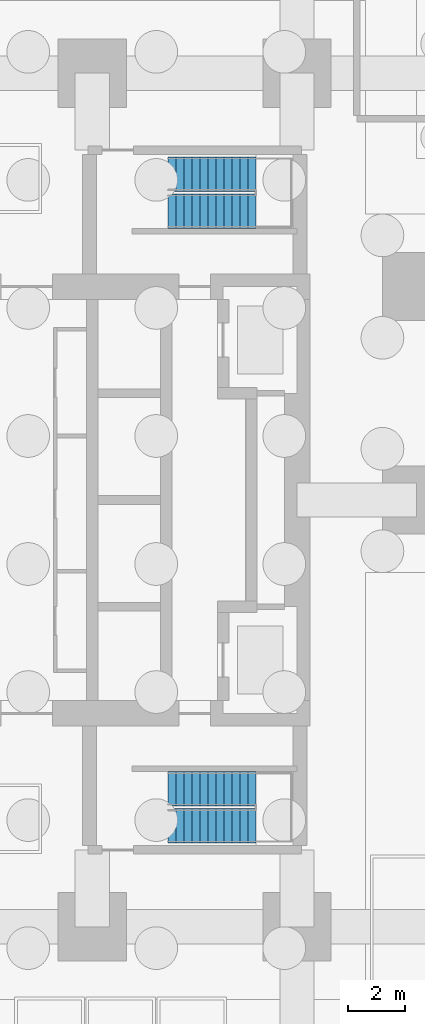
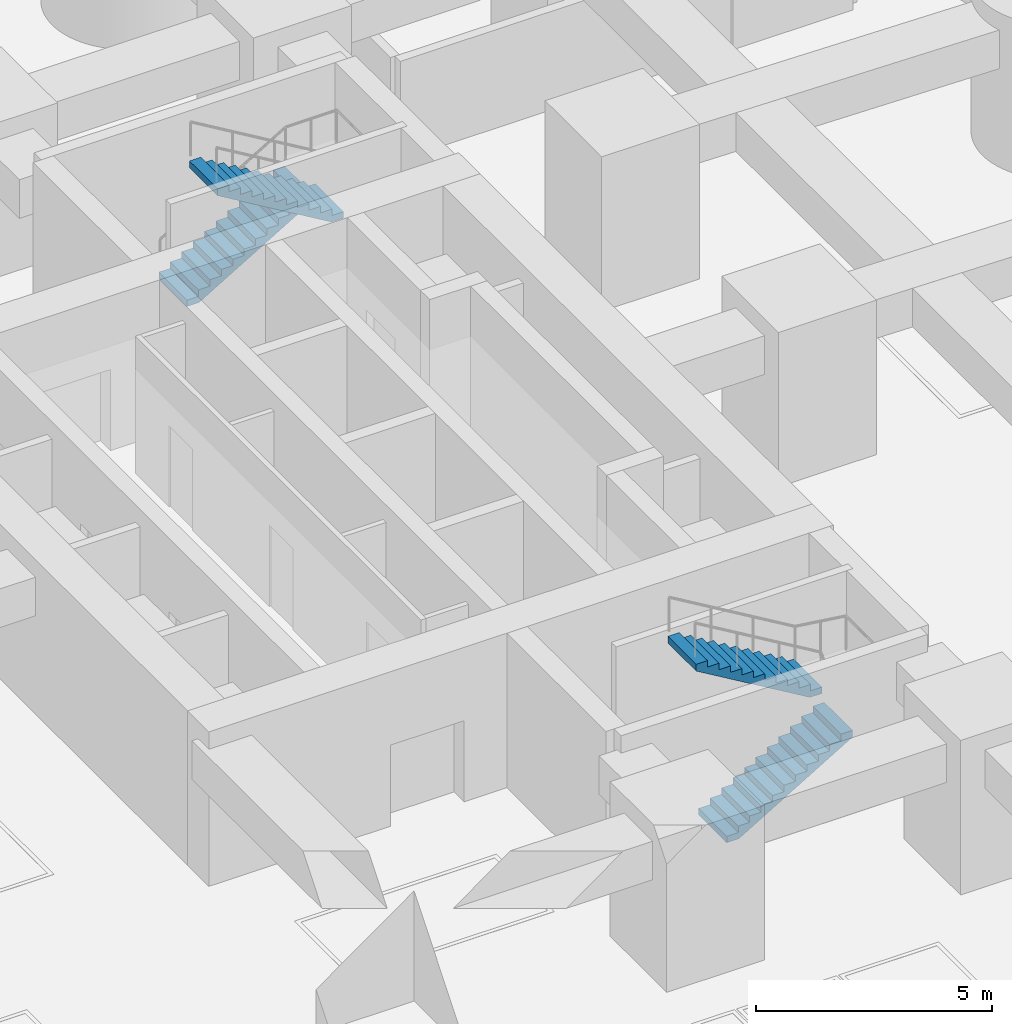
# One storey, part 7 of 10: 4 stair flights, 2 elements without a shape of their own.
"""IFC4 building model written with IfcOpenShell, lengths in metres."""

from ifc_helpers import new_model, si_unit, direction, frame, origin, place, context, subcontext, project, spatial, triangles, material, type_object, element, aggregate, save


model = new_model("IFC4")

# Units and contexts
model_context = context("Model", 3, precision=1e-05, world=origin(), true_north=direction((0.0, 1.0)))
body_context = subcontext(model_context, "Body", "Model", "MODEL_VIEW")
ifc_project = project(units=[si_unit("LENGTHUNIT", "METRE"), si_unit("AREAUNIT", "SQUARE_METRE"), si_unit("VOLUMEUNIT", "CUBIC_METRE"), si_unit("PLANEANGLEUNIT", "RADIAN"), si_unit("MASSUNIT", "GRAM", prefix="KILO")], contexts=[model_context])

# Site, building, storey
site_placement = place(None, origin())
site = spatial("IfcSite", under=ifc_project, at=site_placement, CompositionType="ELEMENT")
building_placement = place(site_placement, origin())
building = spatial("IfcBuilding", under=site, at=building_placement, Name="Sheger Commons Tower", CompositionType="ELEMENT")
storey_placement = place(building_placement, frame((0.0, 0.0, -8.0)))
storey = spatial("IfcBuildingStorey", under=building, at=storey_placement, Name="B2", CompositionType="ELEMENT", Elevation=-8.0)

# Stair, stair flights
ifc_material_1 = material(Name="Concrete C35/45", Category="concrete")
stair_type = type_object("IfcStairType", Name="HALF-TURN STAIR 1200 RISE 4000", PredefinedType="HALF_TURN_STAIR", material=ifc_material_1)
stair_1_placement = place(storey_placement, origin())
stair_1 = element("IfcStair", 1, at=stair_1_placement, inside=storey, type_object=stair_type, Name="Stair S1 B2", PredefinedType="HALF_TURN_STAIR")
ifc_material_2 = material(Name="Concrete C35/45", Category="concrete")
stair_flight_type = type_object("IfcStairFlightType", Name="STAIR FLIGHT 1200 12 RISERS OF 167", PredefinedType="STRAIGHT", material=ifc_material_2)
stair_flight_1_placement = place(storey_placement, frame((24.27001953125, 11.050048828125, 0.0), z_axis=(0.0, 0.0, 1.0), x_axis=(1.0, 0.0, 0.0)))
stair_flight_1 = element("IfcStairFlight", 2, at=stair_flight_1_placement, type_object=stair_flight_type, Name="S1 flight 1", NumberOfRisers=12, NumberOfTreads=11, PredefinedType="STRAIGHT", RiserHeight=0.166666667, TreadLength=0.28, context=body_context, shape_type="Tessellation", body=[
    triangles([(0.0, 0.5999755859375, 0.0), (0.0, 0.5999755859375, 0.166748046875), (0.280029296875, 0.5999755859375, 0.166748046875), (0.280029296875, 0.5999755859375, 0.333251953125), (0.56005859375, 0.5999755859375, 0.333251953125), (0.56005859375, 0.5999755859375, 0.5), (0.840087890625, 0.5999755859375, 0.5), (0.840087890625, 0.5999755859375, 0.666748046875), (1.1201171875, 0.5999755859375, 0.666748046875), (1.1201171875, 0.5999755859375, 0.833251953125), (1.39990234375, 0.5999755859375, 0.833251953125), (1.39990234375, 0.5999755859375, 1.0), (1.679931640625, 0.5999755859375, 1.0), (1.679931640625, 0.5999755859375, 1.166748046875), (1.9599609375, 0.5999755859375, 1.166748046875), (1.9599609375, 0.5999755859375, 1.333251953125), (2.239990234375, 0.5999755859375, 1.333251953125), (2.239990234375, 0.5999755859375, 1.5), (2.52001953125, 0.5999755859375, 1.5), (2.52001953125, 0.5999755859375, 1.666748046875), (2.800048828125, 0.5999755859375, 1.666748046875), (2.800048828125, 0.5999755859375, 1.833251953125), (3.080078125, 0.5999755859375, 1.833251953125), (3.080078125, 0.5999755859375, 1.658935546875), (0.29296875, 0.5999755859375, 0.0), (0.0, -0.5999755859375, 0.0), (0.0, -0.5999755859375, 0.166748046875), (0.280029296875, -0.5999755859375, 0.166748046875), (0.280029296875, -0.5999755859375, 0.333251953125), (0.56005859375, -0.5999755859375, 0.333251953125), (0.56005859375, -0.5999755859375, 0.5), (0.840087890625, -0.5999755859375, 0.5), (0.840087890625, -0.5999755859375, 0.666748046875), (1.1201171875, -0.5999755859375, 0.666748046875), (1.1201171875, -0.5999755859375, 0.833251953125), (1.39990234375, -0.5999755859375, 0.833251953125), (1.39990234375, -0.5999755859375, 1.0), (1.679931640625, -0.5999755859375, 1.0), (1.679931640625, -0.5999755859375, 1.166748046875), (1.9599609375, -0.5999755859375, 1.166748046875), (1.9599609375, -0.5999755859375, 1.333251953125), (2.239990234375, -0.5999755859375, 1.333251953125), (2.239990234375, -0.5999755859375, 1.5), (2.52001953125, -0.5999755859375, 1.5), (2.52001953125, -0.5999755859375, 1.666748046875), (2.800048828125, -0.5999755859375, 1.666748046875), (2.800048828125, -0.5999755859375, 1.833251953125), (3.080078125, -0.5999755859375, 1.833251953125), (3.080078125, -0.5999755859375, 1.658935546875), (0.29296875, -0.5999755859375, 0.0), (0.0, 0.0, 0.0833740234375), (0.1400146484375, 0.0, 0.166748046875), (0.280029296875, 0.0, 0.25), (0.4200439453125, 0.0, 0.333251953125), (0.56005859375, 0.0, 0.4166259765625), (0.7000732421875, 0.0, 0.5), (0.840087890625, 0.0, 0.5833740234375), (0.9801025390625, 0.0, 0.666748046875), (1.1201171875, 0.0, 0.75), (1.260009765625, 0.0, 0.833251953125), (1.39990234375, 0.0, 0.9166259765625), (1.5399169921875, 0.0, 1.0), (1.679931640625, 0.0, 1.0833740234375), (1.8199462890625, 0.0, 1.166748046875), (1.9599609375, 0.0, 1.25), (2.0999755859375, 0.0, 1.333251953125), (2.239990234375, 0.0, 1.4166259765625), (2.3800048828125, 0.0, 1.5), (2.52001953125, 0.0, 1.5833740234375), (2.6600341796875, 0.0, 1.666748046875), (2.800048828125, 0.0, 1.75), (2.9400634765625, 0.0, 1.833251953125), (3.080078125, 0.0, 1.74609375), (1.6865234375, 0.0, 0.8294677734375), (0.146484375, 0.0, 0.0)], [[1, 24, 25], [26, 50, 49], [24, 22, 23], [49, 48, 47], [24, 21, 22], [49, 47, 46], [24, 20, 21], [49, 46, 45], [24, 19, 20], [49, 45, 44], [19, 17, 18], [44, 43, 42], [24, 17, 19], [49, 44, 42], [17, 15, 16], [42, 41, 40], [24, 15, 17], [49, 42, 40], [15, 13, 14], [40, 39, 38], [24, 13, 15], [49, 40, 38], [13, 11, 12], [38, 37, 36], [24, 11, 13], [49, 38, 36], [11, 9, 10], [36, 35, 34], [24, 9, 11], [49, 36, 34], [9, 7, 8], [34, 33, 32], [24, 7, 9], [49, 34, 32], [7, 5, 6], [32, 31, 30], [24, 5, 7], [49, 32, 30], [1, 5, 24], [26, 49, 30], [5, 3, 4], [30, 29, 28], [1, 3, 5], [26, 30, 28], [3, 1, 2], [28, 27, 26], [1, 51, 2], [2, 51, 27], [27, 51, 26], [26, 51, 1], [2, 52, 3], [3, 52, 28], [28, 52, 27], [27, 52, 2], [3, 53, 4], [4, 53, 29], [29, 53, 28], [28, 53, 3], [4, 54, 5], [5, 54, 30], [30, 54, 29], [29, 54, 4], [5, 55, 6], [6, 55, 31], [31, 55, 30], [30, 55, 5], [6, 56, 7], [7, 56, 32], [32, 56, 31], [31, 56, 6], [7, 57, 8], [8, 57, 33], [33, 57, 32], [32, 57, 7], [8, 58, 9], [9, 58, 34], [34, 58, 33], [33, 58, 8], [9, 59, 10], [10, 59, 35], [35, 59, 34], [34, 59, 9], [10, 60, 11], [11, 60, 36], [36, 60, 35], [35, 60, 10], [11, 61, 12], [12, 61, 37], [37, 61, 36], [36, 61, 11], [12, 62, 13], [13, 62, 38], [38, 62, 37], [37, 62, 12], [13, 63, 14], [14, 63, 39], [39, 63, 38], [38, 63, 13], [14, 64, 15], [15, 64, 40], [40, 64, 39], [39, 64, 14], [15, 65, 16], [16, 65, 41], [41, 65, 40], [40, 65, 15], [16, 66, 17], [17, 66, 42], [42, 66, 41], [41, 66, 16], [17, 67, 18], [18, 67, 43], [43, 67, 42], [42, 67, 17], [18, 68, 19], [19, 68, 44], [44, 68, 43], [43, 68, 18], [19, 69, 20], [20, 69, 45], [45, 69, 44], [44, 69, 19], [20, 70, 21], [21, 70, 46], [46, 70, 45], [45, 70, 20], [21, 71, 22], [22, 71, 47], [47, 71, 46], [46, 71, 21], [22, 72, 23], [23, 72, 48], [48, 72, 47], [47, 72, 22], [23, 73, 24], [24, 73, 49], [49, 73, 48], [48, 73, 23], [24, 74, 25], [25, 74, 50], [50, 74, 49], [49, 74, 24], [25, 75, 1], [1, 75, 26], [26, 75, 50], [50, 75, 25]], closed=True),
])
stair_flight_2_placement = place(storey_placement, frame((27.35009765625, 12.35009765625, 2.0), z_axis=(0.0, 0.0, 1.0), x_axis=(-1.0, 0.0, 0.0)))
stair_flight_2 = element("IfcStairFlight", 3, at=stair_flight_2_placement, type_object=stair_flight_type, Name="S1 flight 2", NumberOfRisers=12, NumberOfTreads=11, PredefinedType="STRAIGHT", RiserHeight=0.166666667, TreadLength=0.28, context=body_context, shape_type="Tessellation", body=[
    triangles([(0.0, 0.5999755859375, 0.0), (0.0, 0.5999755859375, 0.166748046875), (0.280029296875, 0.5999755859375, 0.166748046875), (0.280029296875, 0.5999755859375, 0.333251953125), (0.56005859375, 0.5999755859375, 0.333251953125), (0.56005859375, 0.5999755859375, 0.5), (0.840087890625, 0.5999755859375, 0.5), (0.840087890625, 0.5999755859375, 0.666748046875), (1.1201171875, 0.5999755859375, 0.666748046875), (1.1201171875, 0.5999755859375, 0.833251953125), (1.39990234375, 0.5999755859375, 0.833251953125), (1.39990234375, 0.5999755859375, 1.0), (1.679931640625, 0.5999755859375, 1.0), (1.679931640625, 0.5999755859375, 1.166748046875), (1.9599609375, 0.5999755859375, 1.166748046875), (1.9599609375, 0.5999755859375, 1.333251953125), (2.239990234375, 0.5999755859375, 1.333251953125), (2.239990234375, 0.5999755859375, 1.5), (2.52001953125, 0.5999755859375, 1.5), (2.52001953125, 0.5999755859375, 1.666748046875), (2.800048828125, 0.5999755859375, 1.666748046875), (2.800048828125, 0.5999755859375, 1.833251953125), (3.080078125, 0.5999755859375, 1.833251953125), (3.080078125, 0.5999755859375, 1.658935546875), (0.29296875, 0.5999755859375, 0.0), (0.0, -0.5999755859375, 0.0), (0.0, -0.5999755859375, 0.166748046875), (0.280029296875, -0.5999755859375, 0.166748046875), (0.280029296875, -0.5999755859375, 0.333251953125), (0.56005859375, -0.5999755859375, 0.333251953125), (0.56005859375, -0.5999755859375, 0.5), (0.840087890625, -0.5999755859375, 0.5), (0.840087890625, -0.5999755859375, 0.666748046875), (1.1201171875, -0.5999755859375, 0.666748046875), (1.1201171875, -0.5999755859375, 0.833251953125), (1.39990234375, -0.5999755859375, 0.833251953125), (1.39990234375, -0.5999755859375, 1.0), (1.679931640625, -0.5999755859375, 1.0), (1.679931640625, -0.5999755859375, 1.166748046875), (1.9599609375, -0.5999755859375, 1.166748046875), (1.9599609375, -0.5999755859375, 1.333251953125), (2.239990234375, -0.5999755859375, 1.333251953125), (2.239990234375, -0.5999755859375, 1.5), (2.52001953125, -0.5999755859375, 1.5), (2.52001953125, -0.5999755859375, 1.666748046875), (2.800048828125, -0.5999755859375, 1.666748046875), (2.800048828125, -0.5999755859375, 1.833251953125), (3.080078125, -0.5999755859375, 1.833251953125), (3.080078125, -0.5999755859375, 1.658935546875), (0.29296875, -0.5999755859375, 0.0), (0.0, 0.0, 0.0833740234375), (0.1400146484375, 0.0, 0.166748046875), (0.280029296875, 0.0, 0.25), (0.4200439453125, 0.0, 0.333251953125), (0.56005859375, 0.0, 0.4166259765625), (0.7000732421875, 0.0, 0.5), (0.840087890625, 0.0, 0.5833740234375), (0.9801025390625, 0.0, 0.666748046875), (1.1201171875, 0.0, 0.75), (1.260009765625, 0.0, 0.833251953125), (1.39990234375, 0.0, 0.9166259765625), (1.5399169921875, 0.0, 1.0), (1.679931640625, 0.0, 1.0833740234375), (1.8199462890625, 0.0, 1.166748046875), (1.9599609375, 0.0, 1.25), (2.0999755859375, 0.0, 1.333251953125), (2.239990234375, 0.0, 1.4166259765625), (2.3800048828125, 0.0, 1.5), (2.52001953125, 0.0, 1.5833740234375), (2.6600341796875, 0.0, 1.666748046875), (2.800048828125, 0.0, 1.75), (2.9400634765625, 0.0, 1.833251953125), (3.080078125, 0.0, 1.74609375), (1.6865234375, 0.0, 0.8294677734375), (0.146484375, 0.0, 0.0)], [[1, 24, 25], [26, 50, 49], [24, 22, 23], [49, 48, 47], [24, 21, 22], [49, 47, 46], [24, 20, 21], [49, 46, 45], [24, 19, 20], [49, 45, 44], [19, 17, 18], [44, 43, 42], [24, 17, 19], [49, 44, 42], [17, 15, 16], [42, 41, 40], [24, 15, 17], [49, 42, 40], [15, 13, 14], [40, 39, 38], [24, 13, 15], [49, 40, 38], [13, 11, 12], [38, 37, 36], [24, 11, 13], [49, 38, 36], [11, 9, 10], [36, 35, 34], [24, 9, 11], [49, 36, 34], [9, 7, 8], [34, 33, 32], [24, 7, 9], [49, 34, 32], [7, 5, 6], [32, 31, 30], [24, 5, 7], [49, 32, 30], [1, 5, 24], [26, 49, 30], [5, 3, 4], [30, 29, 28], [1, 3, 5], [26, 30, 28], [3, 1, 2], [28, 27, 26], [1, 51, 2], [2, 51, 27], [27, 51, 26], [26, 51, 1], [2, 52, 3], [3, 52, 28], [28, 52, 27], [27, 52, 2], [3, 53, 4], [4, 53, 29], [29, 53, 28], [28, 53, 3], [4, 54, 5], [5, 54, 30], [30, 54, 29], [29, 54, 4], [5, 55, 6], [6, 55, 31], [31, 55, 30], [30, 55, 5], [6, 56, 7], [7, 56, 32], [32, 56, 31], [31, 56, 6], [7, 57, 8], [8, 57, 33], [33, 57, 32], [32, 57, 7], [8, 58, 9], [9, 58, 34], [34, 58, 33], [33, 58, 8], [9, 59, 10], [10, 59, 35], [35, 59, 34], [34, 59, 9], [10, 60, 11], [11, 60, 36], [36, 60, 35], [35, 60, 10], [11, 61, 12], [12, 61, 37], [37, 61, 36], [36, 61, 11], [12, 62, 13], [13, 62, 38], [38, 62, 37], [37, 62, 12], [13, 63, 14], [14, 63, 39], [39, 63, 38], [38, 63, 13], [14, 64, 15], [15, 64, 40], [40, 64, 39], [39, 64, 14], [15, 65, 16], [16, 65, 41], [41, 65, 40], [40, 65, 15], [16, 66, 17], [17, 66, 42], [42, 66, 41], [41, 66, 16], [17, 67, 18], [18, 67, 43], [43, 67, 42], [42, 67, 17], [18, 68, 19], [19, 68, 44], [44, 68, 43], [43, 68, 18], [19, 69, 20], [20, 69, 45], [45, 69, 44], [44, 69, 19], [20, 70, 21], [21, 70, 46], [46, 70, 45], [45, 70, 20], [21, 71, 22], [22, 71, 47], [47, 71, 46], [46, 71, 21], [22, 72, 23], [23, 72, 48], [48, 72, 47], [47, 72, 22], [23, 73, 24], [24, 73, 49], [49, 73, 48], [48, 73, 23], [24, 74, 25], [25, 74, 50], [50, 74, 49], [49, 74, 24], [25, 75, 1], [1, 75, 26], [26, 75, 50], [50, 75, 25]], closed=True),
])
aggregate(stair_1, [stair_flight_1, stair_flight_2])

stair_2_placement = place(storey_placement, origin())
stair_2 = element("IfcStair", 4, at=stair_2_placement, inside=storey, type_object=stair_type, Name="Stair S2 B2", PredefinedType="HALF_TURN_STAIR")
stair_flight_3_placement = place(storey_placement, frame((24.27001953125, 33.949951171875, 0.0), z_axis=(0.0, 0.0, 1.0), x_axis=(1.0, 0.0, 0.0)))
stair_flight_3 = element("IfcStairFlight", 5, at=stair_flight_3_placement, type_object=stair_flight_type, Name="S2 flight 1", NumberOfRisers=12, NumberOfTreads=11, PredefinedType="STRAIGHT", RiserHeight=0.166666667, TreadLength=0.28, context=body_context, shape_type="Tessellation", body=[
    triangles([(0.0, 0.5999755859375, 0.0), (0.0, 0.5999755859375, 0.166748046875), (0.280029296875, 0.5999755859375, 0.166748046875), (0.280029296875, 0.5999755859375, 0.333251953125), (0.56005859375, 0.5999755859375, 0.333251953125), (0.56005859375, 0.5999755859375, 0.5), (0.840087890625, 0.5999755859375, 0.5), (0.840087890625, 0.5999755859375, 0.666748046875), (1.1201171875, 0.5999755859375, 0.666748046875), (1.1201171875, 0.5999755859375, 0.833251953125), (1.39990234375, 0.5999755859375, 0.833251953125), (1.39990234375, 0.5999755859375, 1.0), (1.679931640625, 0.5999755859375, 1.0), (1.679931640625, 0.5999755859375, 1.166748046875), (1.9599609375, 0.5999755859375, 1.166748046875), (1.9599609375, 0.5999755859375, 1.333251953125), (2.239990234375, 0.5999755859375, 1.333251953125), (2.239990234375, 0.5999755859375, 1.5), (2.52001953125, 0.5999755859375, 1.5), (2.52001953125, 0.5999755859375, 1.666748046875), (2.800048828125, 0.5999755859375, 1.666748046875), (2.800048828125, 0.5999755859375, 1.833251953125), (3.080078125, 0.5999755859375, 1.833251953125), (3.080078125, 0.5999755859375, 1.658935546875), (0.29296875, 0.5999755859375, 0.0), (0.0, -0.5999755859375, 0.0), (0.0, -0.5999755859375, 0.166748046875), (0.280029296875, -0.5999755859375, 0.166748046875), (0.280029296875, -0.5999755859375, 0.333251953125), (0.56005859375, -0.5999755859375, 0.333251953125), (0.56005859375, -0.5999755859375, 0.5), (0.840087890625, -0.5999755859375, 0.5), (0.840087890625, -0.5999755859375, 0.666748046875), (1.1201171875, -0.5999755859375, 0.666748046875), (1.1201171875, -0.5999755859375, 0.833251953125), (1.39990234375, -0.5999755859375, 0.833251953125), (1.39990234375, -0.5999755859375, 1.0), (1.679931640625, -0.5999755859375, 1.0), (1.679931640625, -0.5999755859375, 1.166748046875), (1.9599609375, -0.5999755859375, 1.166748046875), (1.9599609375, -0.5999755859375, 1.333251953125), (2.239990234375, -0.5999755859375, 1.333251953125), (2.239990234375, -0.5999755859375, 1.5), (2.52001953125, -0.5999755859375, 1.5), (2.52001953125, -0.5999755859375, 1.666748046875), (2.800048828125, -0.5999755859375, 1.666748046875), (2.800048828125, -0.5999755859375, 1.833251953125), (3.080078125, -0.5999755859375, 1.833251953125), (3.080078125, -0.5999755859375, 1.658935546875), (0.29296875, -0.5999755859375, 0.0), (0.0, 0.0, 0.0833740234375), (0.1400146484375, 0.0, 0.166748046875), (0.280029296875, 0.0, 0.25), (0.4200439453125, 0.0, 0.333251953125), (0.56005859375, 0.0, 0.4166259765625), (0.7000732421875, 0.0, 0.5), (0.840087890625, 0.0, 0.5833740234375), (0.9801025390625, 0.0, 0.666748046875), (1.1201171875, 0.0, 0.75), (1.260009765625, 0.0, 0.833251953125), (1.39990234375, 0.0, 0.9166259765625), (1.5399169921875, 0.0, 1.0), (1.679931640625, 0.0, 1.0833740234375), (1.8199462890625, 0.0, 1.166748046875), (1.9599609375, 0.0, 1.25), (2.0999755859375, 0.0, 1.333251953125), (2.239990234375, 0.0, 1.4166259765625), (2.3800048828125, 0.0, 1.5), (2.52001953125, 0.0, 1.5833740234375), (2.6600341796875, 0.0, 1.666748046875), (2.800048828125, 0.0, 1.75), (2.9400634765625, 0.0, 1.833251953125), (3.080078125, 0.0, 1.74609375), (1.6865234375, 0.0, 0.8294677734375), (0.146484375, 0.0, 0.0)], [[1, 24, 25], [26, 50, 49], [24, 22, 23], [49, 48, 47], [24, 21, 22], [49, 47, 46], [24, 20, 21], [49, 46, 45], [24, 19, 20], [49, 45, 44], [19, 17, 18], [44, 43, 42], [24, 17, 19], [49, 44, 42], [17, 15, 16], [42, 41, 40], [24, 15, 17], [49, 42, 40], [15, 13, 14], [40, 39, 38], [24, 13, 15], [49, 40, 38], [13, 11, 12], [38, 37, 36], [24, 11, 13], [49, 38, 36], [11, 9, 10], [36, 35, 34], [24, 9, 11], [49, 36, 34], [9, 7, 8], [34, 33, 32], [24, 7, 9], [49, 34, 32], [7, 5, 6], [32, 31, 30], [24, 5, 7], [49, 32, 30], [1, 5, 24], [26, 49, 30], [5, 3, 4], [30, 29, 28], [1, 3, 5], [26, 30, 28], [3, 1, 2], [28, 27, 26], [1, 51, 2], [2, 51, 27], [27, 51, 26], [26, 51, 1], [2, 52, 3], [3, 52, 28], [28, 52, 27], [27, 52, 2], [3, 53, 4], [4, 53, 29], [29, 53, 28], [28, 53, 3], [4, 54, 5], [5, 54, 30], [30, 54, 29], [29, 54, 4], [5, 55, 6], [6, 55, 31], [31, 55, 30], [30, 55, 5], [6, 56, 7], [7, 56, 32], [32, 56, 31], [31, 56, 6], [7, 57, 8], [8, 57, 33], [33, 57, 32], [32, 57, 7], [8, 58, 9], [9, 58, 34], [34, 58, 33], [33, 58, 8], [9, 59, 10], [10, 59, 35], [35, 59, 34], [34, 59, 9], [10, 60, 11], [11, 60, 36], [36, 60, 35], [35, 60, 10], [11, 61, 12], [12, 61, 37], [37, 61, 36], [36, 61, 11], [12, 62, 13], [13, 62, 38], [38, 62, 37], [37, 62, 12], [13, 63, 14], [14, 63, 39], [39, 63, 38], [38, 63, 13], [14, 64, 15], [15, 64, 40], [40, 64, 39], [39, 64, 14], [15, 65, 16], [16, 65, 41], [41, 65, 40], [40, 65, 15], [16, 66, 17], [17, 66, 42], [42, 66, 41], [41, 66, 16], [17, 67, 18], [18, 67, 43], [43, 67, 42], [42, 67, 17], [18, 68, 19], [19, 68, 44], [44, 68, 43], [43, 68, 18], [19, 69, 20], [20, 69, 45], [45, 69, 44], [44, 69, 19], [20, 70, 21], [21, 70, 46], [46, 70, 45], [45, 70, 20], [21, 71, 22], [22, 71, 47], [47, 71, 46], [46, 71, 21], [22, 72, 23], [23, 72, 48], [48, 72, 47], [47, 72, 22], [23, 73, 24], [24, 73, 49], [49, 73, 48], [48, 73, 23], [24, 74, 25], [25, 74, 50], [50, 74, 49], [49, 74, 24], [25, 75, 1], [1, 75, 26], [26, 75, 50], [50, 75, 25]], closed=True),
])
stair_flight_4_placement = place(storey_placement, frame((27.35009765625, 32.64990234375, 2.0), z_axis=(0.0, 0.0, 1.0), x_axis=(-1.0, 0.0, 0.0)))
stair_flight_4 = element("IfcStairFlight", 6, at=stair_flight_4_placement, type_object=stair_flight_type, Name="S2 flight 2", NumberOfRisers=12, NumberOfTreads=11, PredefinedType="STRAIGHT", RiserHeight=0.166666667, TreadLength=0.28, context=body_context, shape_type="Tessellation", body=[
    triangles([(0.0, 0.5999755859375, 0.0), (0.0, 0.5999755859375, 0.166748046875), (0.280029296875, 0.5999755859375, 0.166748046875), (0.280029296875, 0.5999755859375, 0.333251953125), (0.56005859375, 0.5999755859375, 0.333251953125), (0.56005859375, 0.5999755859375, 0.5), (0.840087890625, 0.5999755859375, 0.5), (0.840087890625, 0.5999755859375, 0.666748046875), (1.1201171875, 0.5999755859375, 0.666748046875), (1.1201171875, 0.5999755859375, 0.833251953125), (1.39990234375, 0.5999755859375, 0.833251953125), (1.39990234375, 0.5999755859375, 1.0), (1.679931640625, 0.5999755859375, 1.0), (1.679931640625, 0.5999755859375, 1.166748046875), (1.9599609375, 0.5999755859375, 1.166748046875), (1.9599609375, 0.5999755859375, 1.333251953125), (2.239990234375, 0.5999755859375, 1.333251953125), (2.239990234375, 0.5999755859375, 1.5), (2.52001953125, 0.5999755859375, 1.5), (2.52001953125, 0.5999755859375, 1.666748046875), (2.800048828125, 0.5999755859375, 1.666748046875), (2.800048828125, 0.5999755859375, 1.833251953125), (3.080078125, 0.5999755859375, 1.833251953125), (3.080078125, 0.5999755859375, 1.658935546875), (0.29296875, 0.5999755859375, 0.0), (0.0, -0.5999755859375, 0.0), (0.0, -0.5999755859375, 0.166748046875), (0.280029296875, -0.5999755859375, 0.166748046875), (0.280029296875, -0.5999755859375, 0.333251953125), (0.56005859375, -0.5999755859375, 0.333251953125), (0.56005859375, -0.5999755859375, 0.5), (0.840087890625, -0.5999755859375, 0.5), (0.840087890625, -0.5999755859375, 0.666748046875), (1.1201171875, -0.5999755859375, 0.666748046875), (1.1201171875, -0.5999755859375, 0.833251953125), (1.39990234375, -0.5999755859375, 0.833251953125), (1.39990234375, -0.5999755859375, 1.0), (1.679931640625, -0.5999755859375, 1.0), (1.679931640625, -0.5999755859375, 1.166748046875), (1.9599609375, -0.5999755859375, 1.166748046875), (1.9599609375, -0.5999755859375, 1.333251953125), (2.239990234375, -0.5999755859375, 1.333251953125), (2.239990234375, -0.5999755859375, 1.5), (2.52001953125, -0.5999755859375, 1.5), (2.52001953125, -0.5999755859375, 1.666748046875), (2.800048828125, -0.5999755859375, 1.666748046875), (2.800048828125, -0.5999755859375, 1.833251953125), (3.080078125, -0.5999755859375, 1.833251953125), (3.080078125, -0.5999755859375, 1.658935546875), (0.29296875, -0.5999755859375, 0.0), (0.0, 0.0, 0.0833740234375), (0.1400146484375, 0.0, 0.166748046875), (0.280029296875, 0.0, 0.25), (0.4200439453125, 0.0, 0.333251953125), (0.56005859375, 0.0, 0.4166259765625), (0.7000732421875, 0.0, 0.5), (0.840087890625, 0.0, 0.5833740234375), (0.9801025390625, 0.0, 0.666748046875), (1.1201171875, 0.0, 0.75), (1.260009765625, 0.0, 0.833251953125), (1.39990234375, 0.0, 0.9166259765625), (1.5399169921875, 0.0, 1.0), (1.679931640625, 0.0, 1.0833740234375), (1.8199462890625, 0.0, 1.166748046875), (1.9599609375, 0.0, 1.25), (2.0999755859375, 0.0, 1.333251953125), (2.239990234375, 0.0, 1.4166259765625), (2.3800048828125, 0.0, 1.5), (2.52001953125, 0.0, 1.5833740234375), (2.6600341796875, 0.0, 1.666748046875), (2.800048828125, 0.0, 1.75), (2.9400634765625, 0.0, 1.833251953125), (3.080078125, 0.0, 1.74609375), (1.6865234375, 0.0, 0.8294677734375), (0.146484375, 0.0, 0.0)], [[1, 24, 25], [26, 50, 49], [24, 22, 23], [49, 48, 47], [24, 21, 22], [49, 47, 46], [24, 20, 21], [49, 46, 45], [24, 19, 20], [49, 45, 44], [19, 17, 18], [44, 43, 42], [24, 17, 19], [49, 44, 42], [17, 15, 16], [42, 41, 40], [24, 15, 17], [49, 42, 40], [15, 13, 14], [40, 39, 38], [24, 13, 15], [49, 40, 38], [13, 11, 12], [38, 37, 36], [24, 11, 13], [49, 38, 36], [11, 9, 10], [36, 35, 34], [24, 9, 11], [49, 36, 34], [9, 7, 8], [34, 33, 32], [24, 7, 9], [49, 34, 32], [7, 5, 6], [32, 31, 30], [24, 5, 7], [49, 32, 30], [1, 5, 24], [26, 49, 30], [5, 3, 4], [30, 29, 28], [1, 3, 5], [26, 30, 28], [3, 1, 2], [28, 27, 26], [1, 51, 2], [2, 51, 27], [27, 51, 26], [26, 51, 1], [2, 52, 3], [3, 52, 28], [28, 52, 27], [27, 52, 2], [3, 53, 4], [4, 53, 29], [29, 53, 28], [28, 53, 3], [4, 54, 5], [5, 54, 30], [30, 54, 29], [29, 54, 4], [5, 55, 6], [6, 55, 31], [31, 55, 30], [30, 55, 5], [6, 56, 7], [7, 56, 32], [32, 56, 31], [31, 56, 6], [7, 57, 8], [8, 57, 33], [33, 57, 32], [32, 57, 7], [8, 58, 9], [9, 58, 34], [34, 58, 33], [33, 58, 8], [9, 59, 10], [10, 59, 35], [35, 59, 34], [34, 59, 9], [10, 60, 11], [11, 60, 36], [36, 60, 35], [35, 60, 10], [11, 61, 12], [12, 61, 37], [37, 61, 36], [36, 61, 11], [12, 62, 13], [13, 62, 38], [38, 62, 37], [37, 62, 12], [13, 63, 14], [14, 63, 39], [39, 63, 38], [38, 63, 13], [14, 64, 15], [15, 64, 40], [40, 64, 39], [39, 64, 14], [15, 65, 16], [16, 65, 41], [41, 65, 40], [40, 65, 15], [16, 66, 17], [17, 66, 42], [42, 66, 41], [41, 66, 16], [17, 67, 18], [18, 67, 43], [43, 67, 42], [42, 67, 17], [18, 68, 19], [19, 68, 44], [44, 68, 43], [43, 68, 18], [19, 69, 20], [20, 69, 45], [45, 69, 44], [44, 69, 19], [20, 70, 21], [21, 70, 46], [46, 70, 45], [45, 70, 20], [21, 71, 22], [22, 71, 47], [47, 71, 46], [46, 71, 21], [22, 72, 23], [23, 72, 48], [48, 72, 47], [47, 72, 22], [23, 73, 24], [24, 73, 49], [49, 73, 48], [48, 73, 23], [24, 74, 25], [25, 74, 50], [50, 74, 49], [49, 74, 24], [25, 75, 1], [1, 75, 26], [26, 75, 50], [50, 75, 25]], closed=True),
])
aggregate(stair_2, [stair_flight_3, stair_flight_4])

save(model, "model.ifc")
